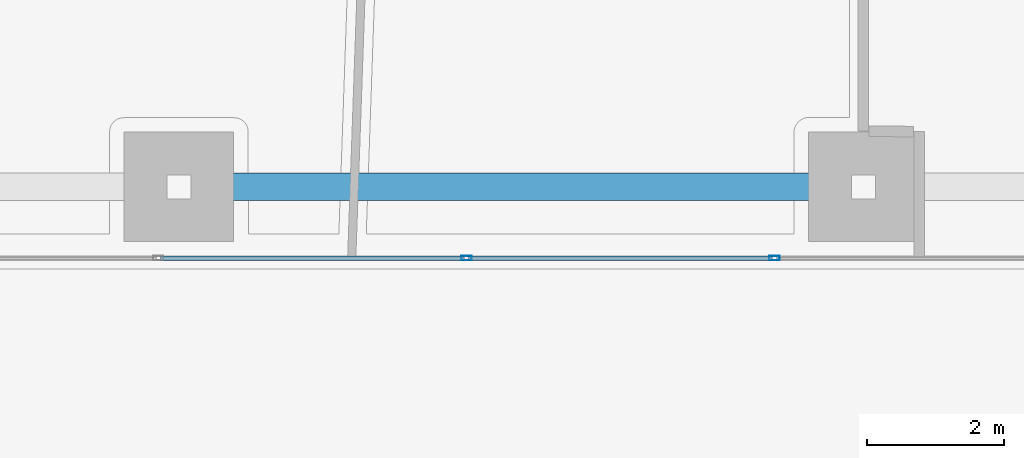
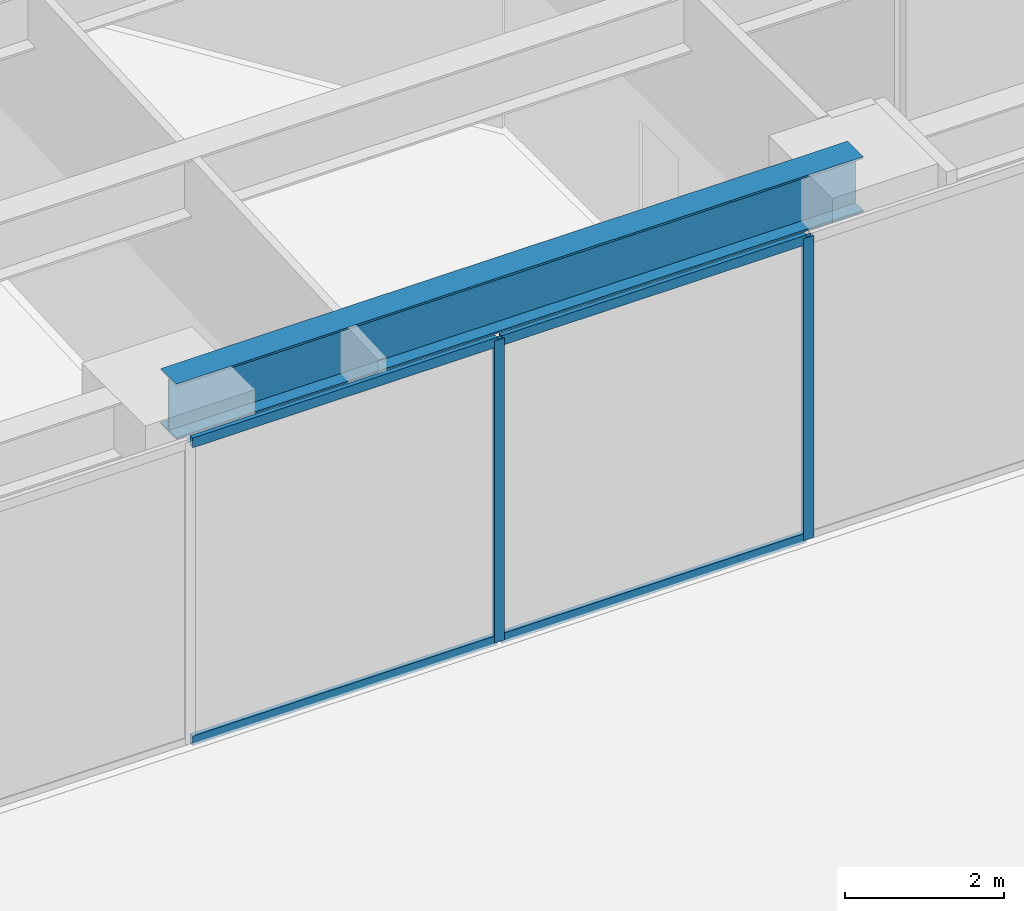
# One storey, part 3 of 28: 6 members, 1 beam, 1 element without a shape of its own.
"""IFC4 building model written with IfcOpenShell, lengths in metres."""

import ifcopenshell
import ifcopenshell.guid

model = None  # the IFC model being written
_history = None  # IfcOwnerHistory: only IFC2X3 demands one
_inside = {}  # id of a spatial element -> (the spatial element, [elements in it])
_under = {}  # id of a project, library or spatial element -> (it, [spatial elements below it])
_declared = {}  # id of a project -> (the project, [libraries it declares])
_typed = {}  # id of a type object -> (the type object, [elements of that type])
_made_of = {}  # id of a material, layer set ... -> (it, [elements and type objects made of it])


def new_model(schema):
    """Start an empty IFC model of exactly this schema.

    Asked for "IFC4X3", IfcOpenShell would pick the latest addendum, in which some entities
    have other attributes; the version numbers below select the first issue.
    IFC2X3 requires an IfcOwnerHistory on every rooted entity: one is made here for all.
    """
    global model, _history
    if schema == "IFC4X3":
        model = ifcopenshell.file(schema_version=(4, 3, 0, 0))
    else:
        model = ifcopenshell.file(schema=schema)
    _inside.clear()
    _under.clear()
    _declared.clear()
    _typed.clear()
    _made_of.clear()
    _history = None
    if model.schema == "IFC2X3":
        org = make("IfcOrganization", Name="unknown")
        user = make(
            "IfcPersonAndOrganization",
            ThePerson=make("IfcPerson", FamilyName="unknown"),
            TheOrganization=org,
        )
        app = make(
            "IfcApplication",
            ApplicationDeveloper=org,
            Version="unknown",
            ApplicationFullName="unknown",
            ApplicationIdentifier="unknown",
        )
        _history = make(
            "IfcOwnerHistory",
            OwningUser=user,
            OwningApplication=app,
            ChangeAction="ADDED",
            CreationDate=0,
        )
    return model


def make(cls, **values):
    """One entity of the class cls with the attributes given. An attribute that is None is left unset."""
    return model.create_entity(
        cls, **{name: value for name, value in values.items() if value is not None}
    )


def rooted(cls, **values):
    """An entity with a GlobalId (a new one), such as an element, a storey or a relation."""
    return make(cls, GlobalId=ifcopenshell.guid.new(), OwnerHistory=_history, **values)


def si_unit(unit_type, name, prefix=None):
    """IfcSIUnit, for example si_unit("LENGTHUNIT", "METRE", prefix="MILLI")."""
    return make("IfcSIUnit", UnitType=unit_type, Prefix=prefix, Name=name)


def assignment(units):
    """IfcUnitAssignment: the units of a project."""
    return None if units is None else make("IfcUnitAssignment", Units=units)


def point(xyz):
    """IfcCartesianPoint."""
    return None if xyz is None else make("IfcCartesianPoint", Coordinates=xyz)


def direction(xyz):
    """IfcDirection."""
    return None if xyz is None else make("IfcDirection", DirectionRatios=xyz)


def frame(location, z_axis=None, x_axis=None):
    """IfcAxis2Placement3D, a coordinate frame: its origin and axes. An axis left out is left unset."""
    return make(
        "IfcAxis2Placement3D",
        Location=point(location),
        Axis=direction(z_axis),
        RefDirection=direction(x_axis),
    )


def frame_2d(location, x_axis=None):
    """IfcAxis2Placement2D, a coordinate frame in the plane: its origin and x axis."""
    return make(
        "IfcAxis2Placement2D", Location=point(location), RefDirection=direction(x_axis)
    )


def origin():
    """The frame at (0, 0, 0) with its axes left unset."""
    return frame((0.0, 0.0, 0.0))


def origin_2d():
    """The frame at (0, 0) in the plane with its x axis left unset."""
    return frame_2d((0.0, 0.0))


def place(relative_to, where):
    """IfcLocalPlacement: puts the frame where relative to a parent placement (None: the world)."""
    return make(
        "IfcLocalPlacement", PlacementRelTo=relative_to, RelativePlacement=where
    )


def context(
    kind, dimensions, precision=None, world=None, true_north=None, identifier=None
):
    """IfcGeometricRepresentationContext, for example the 3D "Model" context."""
    return make(
        "IfcGeometricRepresentationContext",
        ContextIdentifier=identifier,
        ContextType=kind,
        CoordinateSpaceDimension=dimensions,
        Precision=precision,
        WorldCoordinateSystem=world,
        TrueNorth=true_north,
    )


def subcontext(parent, identifier, kind, view, scale=None):
    """IfcGeometricRepresentationSubContext, for example "Body" below "Model"."""
    return make(
        "IfcGeometricRepresentationSubContext",
        ContextIdentifier=identifier,
        ContextType=kind,
        ParentContext=parent,
        TargetScale=scale,
        TargetView=view,
    )


def project(units=None, contexts=None):
    """IfcProject with its units and contexts."""
    return rooted(
        "IfcProject",
        Name="project",
        RepresentationContexts=contexts,
        UnitsInContext=assignment(units),
    )


def spatial(cls, under=None, at=None, **own):
    """A site, building, storey or space (cls), placed at a placement, below another one or the project."""
    s = rooted(cls, ObjectPlacement=at, **own)
    if under is not None:
        _under.setdefault(under.id(), (under, []))[1].append(s)
    return s


def profile(cls, at=None, kind="AREA", **sizes):
    """A parametric profile (cls). Its sizes go by their IFC names, for example OverallWidth=200.0."""
    return make(cls, ProfileType=kind, Position=at, **sizes)


def hollow_rectangle(**sizes):
    """IfcRectangleHollowProfileDef."""
    return profile("IfcRectangleHollowProfileDef", **sizes)


def i_section(**sizes):
    """IfcIShapeProfileDef."""
    return profile("IfcIShapeProfileDef", **sizes)


def extrude(swept, where, along, depth):
    """IfcExtrudedAreaSolid: the profile swept, set in the frame where, extruded along a direction by depth."""
    return make(
        "IfcExtrudedAreaSolid",
        SweptArea=swept,
        Position=where,
        ExtrudedDirection=direction(along),
        Depth=depth,
    )


def shape(context_of_items, identifier, shape_type, items):
    """IfcShapeRepresentation: the items that make up one representation, for example the "Body"."""
    return make(
        "IfcShapeRepresentation",
        ContextOfItems=context_of_items,
        RepresentationIdentifier=identifier,
        RepresentationType=shape_type,
        Items=items,
    )


def source(mapping_origin, context_of_items, identifier, shape_type, items):
    """IfcRepresentationMap: a shape defined once, which mapped items show again and again."""
    return make(
        "IfcRepresentationMap",
        MappingOrigin=mapping_origin,
        MappedRepresentation=shape(context_of_items, identifier, shape_type, items),
    )


def transform(
    local_origin,
    x_axis=None,
    y_axis=None,
    z_axis=None,
    scale=None,
    scale2=None,
    scale3=None,
    uniform=True,
):
    """IfcCartesianTransformationOperator3D, or its non-uniform kind. x_axis, y_axis, z_axis: its Axis1, 2, 3."""
    if uniform:
        return make(
            "IfcCartesianTransformationOperator3D",
            Axis1=direction(x_axis),
            Axis2=direction(y_axis),
            LocalOrigin=point(local_origin),
            Scale=scale,
            Axis3=direction(z_axis),
        )
    return make(
        "IfcCartesianTransformationOperator3DnonUniform",
        Axis1=direction(x_axis),
        Axis2=direction(y_axis),
        LocalOrigin=point(local_origin),
        Scale=scale,
        Axis3=direction(z_axis),
        Scale2=scale2,
        Scale3=scale3,
    )


def mapped(mapping_source, mapping_target):
    """IfcMappedItem: shows the shape of a source again, moved by a transform."""
    return make(
        "IfcMappedItem", MappingSource=mapping_source, MappingTarget=mapping_target
    )


def material(Name=None, Category=None):
    """IfcMaterial."""
    return make("IfcMaterial", Name=Name, Category=Category)


def layer(
    of_material, thickness, ventilated=None, Name=None, Category=None, Priority=None
):
    """IfcMaterialLayer: one layer of a wall or slab, of a material (None: an air gap)."""
    return make(
        "IfcMaterialLayer",
        Material=of_material,
        LayerThickness=thickness,
        IsVentilated=ventilated,
        Name=Name,
        Category=Category,
        Priority=Priority,
    )


def layer_set(layers, Name=None):
    """IfcMaterialLayerSet."""
    return make("IfcMaterialLayerSet", MaterialLayers=layers, LayerSetName=Name)


def material_profile(
    of_material, cross_section, Name=None, Category=None, Priority=None
):
    """IfcMaterialProfile: a cross section and its material."""
    return make(
        "IfcMaterialProfile",
        Name=Name,
        Material=of_material,
        Profile=cross_section,
        Priority=Priority,
        Category=Category,
    )


def profile_set(profiles, Name=None, composite=None):
    """IfcMaterialProfileSet."""
    return make(
        "IfcMaterialProfileSet",
        Name=Name,
        MaterialProfiles=profiles,
        CompositeProfile=composite,
    )


def made_of(thing, what):
    """Note that an element or type object is made of a material, layer set ...; save() writes the relation."""
    if what is not None:
        _made_of.setdefault(what.id(), (what, []))[1].append(thing)
    return thing


def type_object(cls, material=None, **own):
    """A type object (cls), such as IfcWallType, which elements share."""
    return made_of(rooted(cls, **own), material)


def type_shapes(of_type, sources):
    """Give a type object the sources (RepresentationMaps) that its elements show as mapped items."""
    of_type.RepresentationMaps = sources


def element(
    cls,
    number,
    at=None,
    inside=None,
    cuts=None,
    type_object=None,
    material=None,
    context=None,
    identifier="Body",
    shape_type=None,
    held_by="IfcProductDefinitionShape",
    body=None,
    shapes=None,
    **own,
):
    """One element of the class cls, such as IfcWall. Its Tag is "e" and its number.

    at: its placement. inside: the storey or other place that contains it. cuts: it is an
    opening in that element (IfcRelVoidsElement). A single representation is given by context,
    identifier, shape_type and body (its items); several are given by shapes. held_by: the class
    of the entity that holds the representations. save() writes the other relations.
    """
    e = rooted(cls, Tag="e%d" % number, ObjectPlacement=at, **own)
    if body is not None:
        shapes = [shape(context, identifier, shape_type, body)]
    if shapes is not None:
        e.Representation = make(held_by, Representations=shapes)
    if inside is not None:
        _inside.setdefault(inside.id(), (inside, []))[1].append(e)
    if cuts is not None:
        rooted(
            "IfcRelVoidsElement", RelatingBuildingElement=cuts, RelatedOpeningElement=e
        )
    if type_object is not None:
        _typed.setdefault(type_object.id(), (type_object, []))[1].append(e)
    return made_of(e, material)


def aggregate(whole, parts):
    """IfcRelAggregates: a whole, such as a stair, and the parts it consists of."""
    return rooted("IfcRelAggregates", RelatingObject=whole, RelatedObjects=parts)


def save(model, path):
    """Write the relations noted so far, then the file.

    IfcRelAggregates (storeys below a building ...), IfcRelContainedInSpatialStructure (elements
    in a storey), IfcRelDefinesByType, IfcRelAssociatesMaterial and IfcRelDeclares: one each for
    every whole, place, type object, material and project.
    """
    for whole, parts in _under.values():
        aggregate(whole, parts)
    for where, things in _inside.values():
        rooted(
            "IfcRelContainedInSpatialStructure",
            RelatedElements=things,
            RelatingStructure=where,
        )
    for kind, things in _typed.values():
        rooted("IfcRelDefinesByType", RelatedObjects=things, RelatingType=kind)
    for what, things in _made_of.values():
        rooted("IfcRelAssociatesMaterial", RelatedObjects=things, RelatingMaterial=what)
    for by, libraries in _declared.values():
        rooted("IfcRelDeclares", RelatingContext=by, RelatedDefinitions=libraries)
    model.write(path)


model = new_model("IFC4")

# Units and contexts
model_context = context("Model", 3, precision=1e-05, world=origin(), true_north=direction((0.0, 1.0)))
body_context = subcontext(model_context, "Body", "Model", "MODEL_VIEW")
ifc_project = project(units=[si_unit("LENGTHUNIT", "METRE"), si_unit("AREAUNIT", "SQUARE_METRE"), si_unit("VOLUMEUNIT", "CUBIC_METRE"), si_unit("PLANEANGLEUNIT", "RADIAN"), si_unit("MASSUNIT", "GRAM", prefix="KILO")], contexts=[model_context])

# Site, building, storey
site_placement = place(None, origin())
site = spatial("IfcSite", under=ifc_project, at=site_placement, CompositionType="ELEMENT")
building_placement = place(site_placement, origin())
building = spatial("IfcBuilding", under=site, at=building_placement, Name="Talar Marvaseh", CompositionType="ELEMENT")
storey_placement = place(building_placement, origin())
storey = spatial("IfcBuildingStorey", under=building, at=storey_placement, Name="L00", CompositionType="ELEMENT", Elevation=0.0)

# Beam
ifc_material_1 = material(Name="Steel S355", Category="steel")
ifc_material_profile_1 = material_profile(ifc_material_1, i_section(OverallWidth=0.39990234375, OverallDepth=0.85498046875, WebThickness=0.018310546875, FlangeThickness=0.029296875, at=origin_2d()), Name="W840x299")
ifc_profile_set_1 = profile_set([ifc_material_profile_1], Name="Steel S355")
beam_type = type_object("IfcBeamType", Name="Concourse Primary Girder W840x299", PredefinedType="BEAM", material=ifc_profile_set_1)
beam_placement = place(storey_placement, frame((22.800048828125, 9.199951171875, 4.472412109375), z_axis=(1.0, 0.0, 0.0), x_axis=(0.0, 1.0, 0.0)))
element("IfcBeam", 1, at=beam_placement, inside=storey, type_object=beam_type, Name="L00 Concourse Primary Girder W840x299", PredefinedType="BEAM", context=body_context, shape_type="SweptSolid", body=[
    extrude(i_section(OverallWidth=0.39990234375, OverallDepth=0.85498046875, WebThickness=0.018310546875, FlangeThickness=0.029296875, at=origin_2d()), origin(), (0.0, 0.0, 1.0), 10.0),
])

# Curtain wall, members
ifc_material_2 = material(Name="Architectural Aluminium", Category="aluminium")
ifc_layer = layer(ifc_material_2, 0.25)
ifc_layer_set = layer_set([ifc_layer], Name="Architectural Aluminium")
curtain_wall_type = type_object("IfcCurtainWallType", Name="Station Podium Monumental Iwan Curtain Wall", PredefinedType="NOTDEFINED", material=ifc_layer_set)
curtain_wall_placement = place(storey_placement, origin())
curtain_wall = element("IfcCurtainWall", 2, at=curtain_wall_placement, inside=storey, type_object=curtain_wall_type, Name="L00 Station Podium Monumental Iwan Curtain Wall", PredefinedType="NOTDEFINED")
ifc_material_profile_2 = material_profile(ifc_material_2, hollow_rectangle(XDim=0.06494140625, YDim=0.14990234375, WallThickness=0.00390625, at=origin_2d()), Name="RHS150x65x4")
ifc_profile_set_2 = profile_set([ifc_material_profile_2], Name="Architectural Aluminium")
member_type_1 = type_object("IfcMemberType", Name="Unitised Curtain Wall Slim Mullion RHS150x65x4", PredefinedType="MULLION", material=ifc_profile_set_2)
shared_shape_1 = source(origin(), body_context, "Body", "SweptSolid", [
    extrude(hollow_rectangle(XDim=0.06494140625, YDim=0.14990234375, WallThickness=0.00390625, at=origin_2d()), origin(), (0.0, 0.0, 1.0), 4.64990234375),
])
type_shapes(member_type_1, [shared_shape_1])
member_1_placement = place(storey_placement, frame((31.5, 8.159912109375, 0.0), z_axis=(0.0, 0.0, 1.0), x_axis=(0.0, -1.0, 0.0)))
member_1 = element("IfcMember", 3, at=member_1_placement, type_object=member_type_1, Name="CW-POD mullion 2", PredefinedType="MULLION", context=body_context, shape_type="MappedRepresentation", body=[
    mapped(shared_shape_1, transform((0.0, 0.0, 0.0), x_axis=(1.0, 0.0, 0.0), y_axis=(0.0, 1.0, 0.0), z_axis=(0.0, 0.0, 1.0), scale=1.0)),
])
member_2_placement = place(storey_placement, frame((27.0, 8.159912109375, 0.0), z_axis=(0.0, 0.0, 1.0), x_axis=(0.0, -1.0, 0.0)))
member_2 = element("IfcMember", 4, at=member_2_placement, type_object=member_type_1, Name="CW-POD mullion 3", PredefinedType="MULLION", context=body_context, shape_type="MappedRepresentation", body=[
    mapped(shared_shape_1, transform((0.0, 0.0, 0.0), x_axis=(1.0, 0.0, 0.0), y_axis=(0.0, 1.0, 0.0), z_axis=(0.0, 0.0, 1.0), scale=1.0)),
])
ifc_material_profile_3 = material_profile(ifc_material_2, hollow_rectangle(XDim=0.06494140625, YDim=0.14990234375, WallThickness=0.00390625, at=origin_2d()), Name="RHS150x65x4")
ifc_profile_set_3 = profile_set([ifc_material_profile_3], Name="Architectural Aluminium")
member_type_2 = type_object("IfcMemberType", Name="Unitised Curtain Wall Slim Transom RHS150x65x4", PredefinedType="USERDEFINED", material=ifc_profile_set_3)
shared_shape_2 = source(origin(), body_context, "Body", "SweptSolid", [
    extrude(hollow_rectangle(XDim=0.06494140625, YDim=0.14990234375, WallThickness=0.00390625, at=origin_2d()), origin(), (0.0, 0.0, 1.0), 4.43505859375),
])
type_shapes(member_type_2, [shared_shape_2])
member_3_placement = place(storey_placement, frame((31.467529296875, 8.159912109375, 0.032470703125), z_axis=(-1.0, 0.0, 0.0), x_axis=(0.0, -1.0, 0.0)))
member_3 = element("IfcMember", 5, at=member_3_placement, type_object=member_type_2, Name="CW-POD transom 2.1", ObjectType="TRANSOM", PredefinedType="USERDEFINED", context=body_context, shape_type="MappedRepresentation", body=[
    mapped(shared_shape_2, transform((0.0, 0.0, 0.0), x_axis=(1.0, 0.0, 0.0), y_axis=(0.0, 1.0, 0.0), z_axis=(0.0, 0.0, 1.0), scale=1.0)),
])
member_4_placement = place(storey_placement, frame((31.467529296875, 8.159912109375, 4.617431640625), z_axis=(-1.0, 0.0, 0.0), x_axis=(0.0, -1.0, 0.0)))
member_4 = element("IfcMember", 6, at=member_4_placement, type_object=member_type_2, Name="CW-POD transom 2.2", ObjectType="TRANSOM", PredefinedType="USERDEFINED", context=body_context, shape_type="MappedRepresentation", body=[
    mapped(shared_shape_2, transform((0.0, 0.0, 0.0), x_axis=(1.0, 0.0, 0.0), y_axis=(0.0, 1.0, 0.0), z_axis=(0.0, 0.0, 1.0), scale=1.0)),
])
member_5_placement = place(storey_placement, frame((26.967529296875, 8.159912109375, 0.032470703125), z_axis=(-1.0, 0.0, 0.0), x_axis=(0.0, -1.0, 0.0)))
member_5 = element("IfcMember", 7, at=member_5_placement, type_object=member_type_2, Name="CW-POD transom 3.1", ObjectType="TRANSOM", PredefinedType="USERDEFINED", context=body_context, shape_type="MappedRepresentation", body=[
    mapped(shared_shape_2, transform((0.0, 0.0, 0.0), x_axis=(1.0, 0.0, 0.0), y_axis=(0.0, 1.0, 0.0), z_axis=(0.0, 0.0, 1.0), scale=1.0)),
])
member_6_placement = place(storey_placement, frame((26.967529296875, 8.159912109375, 4.617431640625), z_axis=(-1.0, 0.0, 0.0), x_axis=(0.0, -1.0, 0.0)))
member_6 = element("IfcMember", 8, at=member_6_placement, type_object=member_type_2, Name="CW-POD transom 3.2", ObjectType="TRANSOM", PredefinedType="USERDEFINED", context=body_context, shape_type="MappedRepresentation", body=[
    mapped(shared_shape_2, transform((0.0, 0.0, 0.0), x_axis=(1.0, 0.0, 0.0), y_axis=(0.0, 1.0, 0.0), z_axis=(0.0, 0.0, 1.0), scale=1.0)),
])
aggregate(curtain_wall, [member_1, member_2, member_3, member_4, member_5, member_6])

save(model, "model.ifc")
